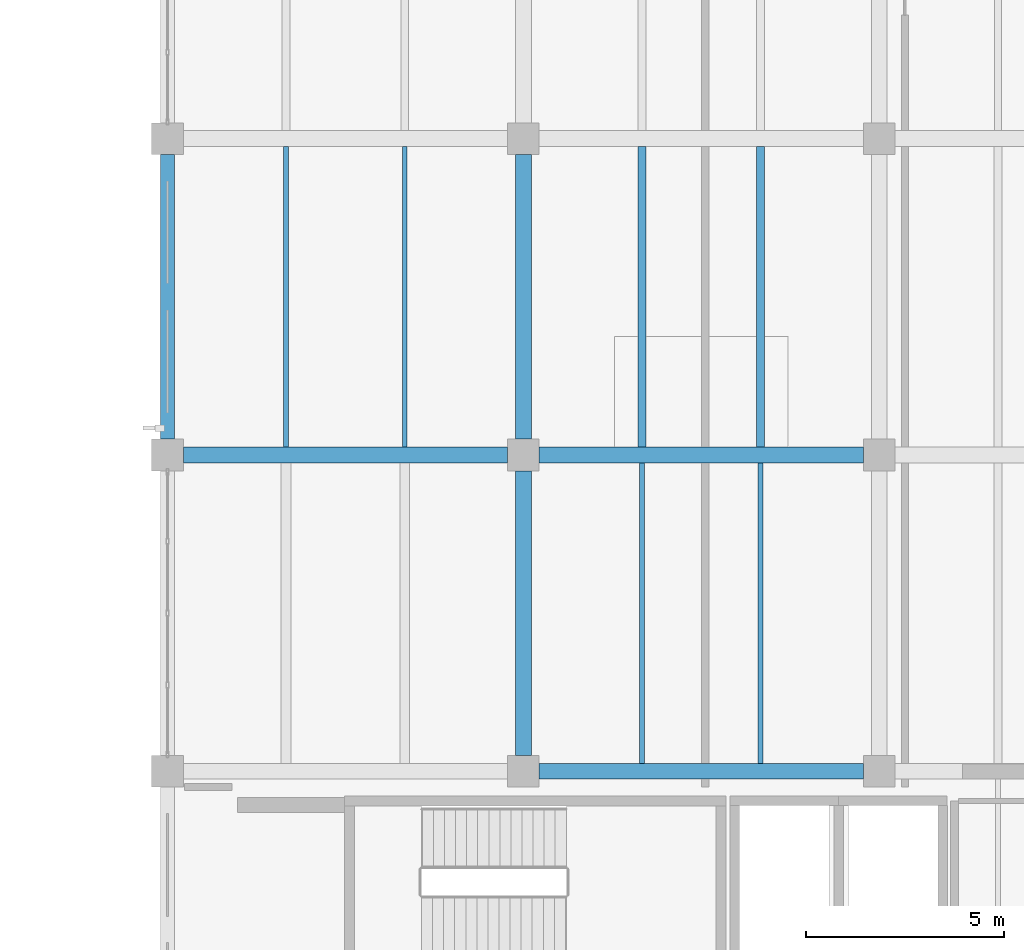
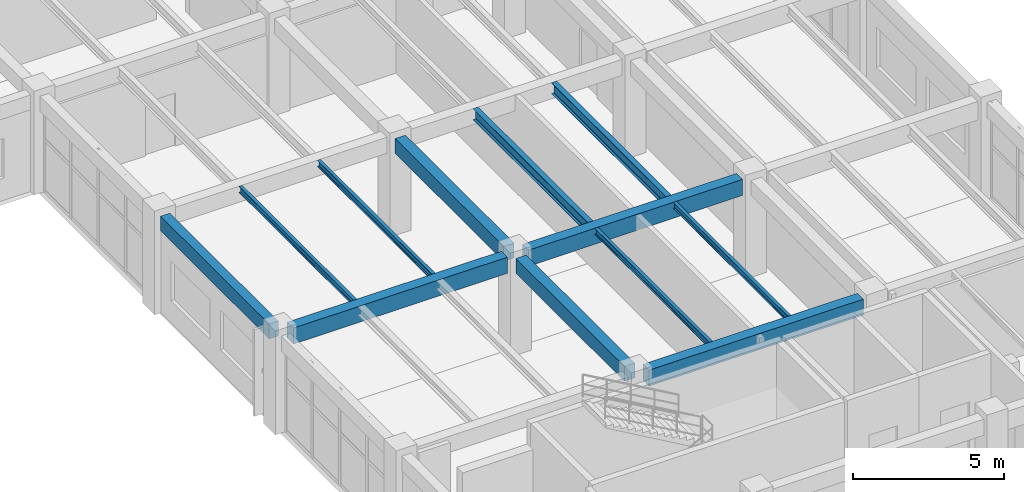
# One storey, part 101 of 148: 12 beams.
"""IFC4 building model written with IfcOpenShell, lengths in metres."""

import ifcopenshell
import ifcopenshell.guid

model = None  # the IFC model being written
_history = None  # IfcOwnerHistory: only IFC2X3 demands one
_inside = {}  # id of a spatial element -> (the spatial element, [elements in it])
_under = {}  # id of a project, library or spatial element -> (it, [spatial elements below it])
_declared = {}  # id of a project -> (the project, [libraries it declares])
_typed = {}  # id of a type object -> (the type object, [elements of that type])
_made_of = {}  # id of a material, layer set ... -> (it, [elements and type objects made of it])


def new_model(schema):
    """Start an empty IFC model of exactly this schema.

    Asked for "IFC4X3", IfcOpenShell would pick the latest addendum, in which some entities
    have other attributes; the version numbers below select the first issue.
    IFC2X3 requires an IfcOwnerHistory on every rooted entity: one is made here for all.
    """
    global model, _history
    if schema == "IFC4X3":
        model = ifcopenshell.file(schema_version=(4, 3, 0, 0))
    else:
        model = ifcopenshell.file(schema=schema)
    _inside.clear()
    _under.clear()
    _declared.clear()
    _typed.clear()
    _made_of.clear()
    _history = None
    if model.schema == "IFC2X3":
        org = make("IfcOrganization", Name="unknown")
        user = make(
            "IfcPersonAndOrganization",
            ThePerson=make("IfcPerson", FamilyName="unknown"),
            TheOrganization=org,
        )
        app = make(
            "IfcApplication",
            ApplicationDeveloper=org,
            Version="unknown",
            ApplicationFullName="unknown",
            ApplicationIdentifier="unknown",
        )
        _history = make(
            "IfcOwnerHistory",
            OwningUser=user,
            OwningApplication=app,
            ChangeAction="ADDED",
            CreationDate=0,
        )
    return model


def make(cls, **values):
    """One entity of the class cls with the attributes given. An attribute that is None is left unset."""
    return model.create_entity(
        cls, **{name: value for name, value in values.items() if value is not None}
    )


def rooted(cls, **values):
    """An entity with a GlobalId (a new one), such as an element, a storey or a relation."""
    return make(cls, GlobalId=ifcopenshell.guid.new(), OwnerHistory=_history, **values)


def si_unit(unit_type, name, prefix=None):
    """IfcSIUnit, for example si_unit("LENGTHUNIT", "METRE", prefix="MILLI")."""
    return make("IfcSIUnit", UnitType=unit_type, Prefix=prefix, Name=name)


def derived_unit(unit_type, elements):
    """IfcDerivedUnit: a product of units, each with its exponent."""
    return make(
        "IfcDerivedUnit",
        Elements=[
            make("IfcDerivedUnitElement", Unit=unit, Exponent=power)
            for unit, power in elements
        ],
        UnitType=unit_type,
    )


def assignment(units):
    """IfcUnitAssignment: the units of a project."""
    return None if units is None else make("IfcUnitAssignment", Units=units)


def point(xyz):
    """IfcCartesianPoint."""
    return None if xyz is None else make("IfcCartesianPoint", Coordinates=xyz)


def direction(xyz):
    """IfcDirection."""
    return None if xyz is None else make("IfcDirection", DirectionRatios=xyz)


def frame(location, z_axis=None, x_axis=None):
    """IfcAxis2Placement3D, a coordinate frame: its origin and axes. An axis left out is left unset."""
    return make(
        "IfcAxis2Placement3D",
        Location=point(location),
        Axis=direction(z_axis),
        RefDirection=direction(x_axis),
    )


def frame_2d(location, x_axis=None):
    """IfcAxis2Placement2D, a coordinate frame in the plane: its origin and x axis."""
    return make(
        "IfcAxis2Placement2D", Location=point(location), RefDirection=direction(x_axis)
    )


def origin():
    """The frame at (0, 0, 0) with its axes left unset."""
    return frame((0.0, 0.0, 0.0))


def origin_2d():
    """The frame at (0, 0) in the plane with its x axis left unset."""
    return frame_2d((0.0, 0.0))


def place(relative_to, where):
    """IfcLocalPlacement: puts the frame where relative to a parent placement (None: the world)."""
    return make(
        "IfcLocalPlacement", PlacementRelTo=relative_to, RelativePlacement=where
    )


def context(
    kind, dimensions, precision=None, world=None, true_north=None, identifier=None
):
    """IfcGeometricRepresentationContext, for example the 3D "Model" context."""
    return make(
        "IfcGeometricRepresentationContext",
        ContextIdentifier=identifier,
        ContextType=kind,
        CoordinateSpaceDimension=dimensions,
        Precision=precision,
        WorldCoordinateSystem=world,
        TrueNorth=true_north,
    )


def subcontext(parent, identifier, kind, view, scale=None):
    """IfcGeometricRepresentationSubContext, for example "Body" below "Model"."""
    return make(
        "IfcGeometricRepresentationSubContext",
        ContextIdentifier=identifier,
        ContextType=kind,
        ParentContext=parent,
        TargetScale=scale,
        TargetView=view,
    )


def project(units=None, contexts=None):
    """IfcProject with its units and contexts."""
    return rooted(
        "IfcProject",
        Name="project",
        RepresentationContexts=contexts,
        UnitsInContext=assignment(units),
    )


def spatial(cls, under=None, at=None, **own):
    """A site, building, storey or space (cls), placed at a placement, below another one or the project."""
    s = rooted(cls, ObjectPlacement=at, **own)
    if under is not None:
        _under.setdefault(under.id(), (under, []))[1].append(s)
    return s


def profile(cls, at=None, kind="AREA", **sizes):
    """A parametric profile (cls). Its sizes go by their IFC names, for example OverallWidth=200.0."""
    return make(cls, ProfileType=kind, Position=at, **sizes)


def rectangle(**sizes):
    """IfcRectangleProfileDef."""
    return profile("IfcRectangleProfileDef", **sizes)


def i_section(**sizes):
    """IfcIShapeProfileDef."""
    return profile("IfcIShapeProfileDef", **sizes)


def extrude(swept, where, along, depth):
    """IfcExtrudedAreaSolid: the profile swept, set in the frame where, extruded along a direction by depth."""
    return make(
        "IfcExtrudedAreaSolid",
        SweptArea=swept,
        Position=where,
        ExtrudedDirection=direction(along),
        Depth=depth,
    )


def shape(context_of_items, identifier, shape_type, items):
    """IfcShapeRepresentation: the items that make up one representation, for example the "Body"."""
    return make(
        "IfcShapeRepresentation",
        ContextOfItems=context_of_items,
        RepresentationIdentifier=identifier,
        RepresentationType=shape_type,
        Items=items,
    )


def material(Name=None, Category=None):
    """IfcMaterial."""
    return make("IfcMaterial", Name=Name, Category=Category)


def material_profile(
    of_material, cross_section, Name=None, Category=None, Priority=None
):
    """IfcMaterialProfile: a cross section and its material."""
    return make(
        "IfcMaterialProfile",
        Name=Name,
        Material=of_material,
        Profile=cross_section,
        Priority=Priority,
        Category=Category,
    )


def profile_set(profiles, Name=None, composite=None):
    """IfcMaterialProfileSet."""
    return make(
        "IfcMaterialProfileSet",
        Name=Name,
        MaterialProfiles=profiles,
        CompositeProfile=composite,
    )


def made_of(thing, what):
    """Note that an element or type object is made of a material, layer set ...; save() writes the relation."""
    if what is not None:
        _made_of.setdefault(what.id(), (what, []))[1].append(thing)
    return thing


def type_object(cls, material=None, **own):
    """A type object (cls), such as IfcWallType, which elements share."""
    return made_of(rooted(cls, **own), material)


def element(
    cls,
    number,
    at=None,
    inside=None,
    cuts=None,
    type_object=None,
    material=None,
    context=None,
    identifier="Body",
    shape_type=None,
    held_by="IfcProductDefinitionShape",
    body=None,
    shapes=None,
    **own,
):
    """One element of the class cls, such as IfcWall. Its Tag is "e" and its number.

    at: its placement. inside: the storey or other place that contains it. cuts: it is an
    opening in that element (IfcRelVoidsElement). A single representation is given by context,
    identifier, shape_type and body (its items); several are given by shapes. held_by: the class
    of the entity that holds the representations. save() writes the other relations.
    """
    e = rooted(cls, Tag="e%d" % number, ObjectPlacement=at, **own)
    if body is not None:
        shapes = [shape(context, identifier, shape_type, body)]
    if shapes is not None:
        e.Representation = make(held_by, Representations=shapes)
    if inside is not None:
        _inside.setdefault(inside.id(), (inside, []))[1].append(e)
    if cuts is not None:
        rooted(
            "IfcRelVoidsElement", RelatingBuildingElement=cuts, RelatedOpeningElement=e
        )
    if type_object is not None:
        _typed.setdefault(type_object.id(), (type_object, []))[1].append(e)
    return made_of(e, material)


def aggregate(whole, parts):
    """IfcRelAggregates: a whole, such as a stair, and the parts it consists of."""
    return rooted("IfcRelAggregates", RelatingObject=whole, RelatedObjects=parts)


def save(model, path):
    """Write the relations noted so far, then the file.

    IfcRelAggregates (storeys below a building ...), IfcRelContainedInSpatialStructure (elements
    in a storey), IfcRelDefinesByType, IfcRelAssociatesMaterial and IfcRelDeclares: one each for
    every whole, place, type object, material and project.
    """
    for whole, parts in _under.values():
        aggregate(whole, parts)
    for where, things in _inside.values():
        rooted(
            "IfcRelContainedInSpatialStructure",
            RelatedElements=things,
            RelatingStructure=where,
        )
    for kind, things in _typed.values():
        rooted("IfcRelDefinesByType", RelatedObjects=things, RelatingType=kind)
    for what, things in _made_of.values():
        rooted("IfcRelAssociatesMaterial", RelatedObjects=things, RelatingMaterial=what)
    for by, libraries in _declared.values():
        rooted("IfcRelDeclares", RelatingContext=by, RelatedDefinitions=libraries)
    model.write(path)


model = new_model("IFC4")

# Units and contexts
model_context = context("Model", 3, precision=1e-05, world=origin(), true_north=direction((0.0, 1.0)))
body_context = subcontext(model_context, "Body", "Model", "MODEL_VIEW")
ifc_project = project(units=[si_unit("LENGTHUNIT", "METRE"), si_unit("AREAUNIT", "SQUARE_METRE"), si_unit("VOLUMEUNIT", "CUBIC_METRE"), si_unit("PLANEANGLEUNIT", "RADIAN"), si_unit("MASSUNIT", "GRAM", prefix="KILO"), derived_unit("THERMALTRANSMITTANCEUNIT", [(si_unit("MASSUNIT", "GRAM", prefix="KILO"), 1), (si_unit("TIMEUNIT", "SECOND"), -3), (si_unit("THERMODYNAMICTEMPERATUREUNIT", "KELVIN"), -1)])], contexts=[model_context])

# Site, building, storey
site_placement = place(None, origin())
site = spatial("IfcSite", under=ifc_project, at=site_placement, CompositionType="ELEMENT")
building_placement = place(site_placement, origin())
building = spatial("IfcBuilding", under=site, at=building_placement, Name="Zhenchuan Archway Interchange", CompositionType="ELEMENT")
storey_placement = place(building_placement, frame((0.0, 0.0, 10.199951171875)))
storey = spatial("IfcBuildingStorey", under=building, at=storey_placement, Name="L02", CompositionType="ELEMENT", Elevation=10.199951171875)

# Beams
ifc_material_1 = material(Name="Concrete C40", Category="concrete")
ifc_material_profile_1 = material_profile(ifc_material_1, rectangle(XDim=0.39990234375, YDim=0.60009765625, at=origin_2d()), Name="RC 400x600")
ifc_profile_set_1 = profile_set([ifc_material_profile_1], Name="Concrete C40")
beam_type_1 = type_object("IfcBeamType", Name="BM_RC_400x600", PredefinedType="BEAM", material=ifc_profile_set_1)
for number, where, z_axis, x_axis, name in (
    (1, (153.0, 64.39990234375, 3.6201171875), (0.0, 1.0, 0.0), (-1.0, 0.0, 0.0), "Beam 18:J-K (L02)"),
    (2, (153.0, 72.39990234375, 3.6201171875), (0.0, 1.0, 0.0), (-1.0, 0.0, 0.0), "Beam 18:K-L (L02)"),
):
    element("IfcBeam", number, at=place(storey_placement, frame(where, z_axis=z_axis, x_axis=x_axis)), inside=storey, type_object=beam_type_1, Name=name, PredefinedType="BEAM", context=body_context, shape_type="SweptSolid", body=[
        extrude(rectangle(XDim=0.39990234375, YDim=0.60009765625, at=origin_2d()), origin(), (0.0, 0.0, 1.0), 7.2001953125),
    ])
ifc_material_profile_2 = material_profile(ifc_material_1, rectangle(XDim=0.39990234375, YDim=0.64990234375, at=origin_2d()), Name="RC 400x650")
ifc_profile_set_2 = profile_set([ifc_material_profile_2], Name="Concrete C40")
beam_type_2 = type_object("IfcBeamType", Name="BM_RC_400x650", PredefinedType="BEAM", material=ifc_profile_set_2)
for number, where, z_axis, x_axis, name in (
    (3, (153.39990234375, 64.0, 3.594970703125), (1.0, 0.0, 0.0), (0.0, 1.0, 0.0), "Beam J:18-19 (L02)"),
    (4, (144.39990234375, 72.0, 3.594970703125), (1.0, 0.0, 0.0), (0.0, 1.0, 0.0), "Beam K:17-18 (L02)"),
    (5, (153.39990234375, 72.0, 3.594970703125), (1.0, 0.0, 0.0), (0.0, 1.0, 0.0), "Beam K:18-19 (L02)"),
):
    element("IfcBeam", number, at=place(storey_placement, frame(where, z_axis=z_axis, x_axis=x_axis)), inside=storey, type_object=beam_type_2, Name=name, PredefinedType="BEAM", context=body_context, shape_type="SweptSolid", body=[
        extrude(rectangle(XDim=0.39990234375, YDim=0.64990234375, at=origin_2d()), origin(), (0.0, 0.0, 1.0), 8.2001953125),
    ])
ifc_material_2 = material(Name="Steel Q355", Category="steel")
ifc_material_profile_3 = material_profile(ifc_material_2, i_section(OverallWidth=0.125, OverallDepth=0.25, WebThickness=0.006103515625, FlangeThickness=0.009033203125, FilletRadius=0.011962890625, at=origin_2d()), Name="HN 250x125")
ifc_profile_set_3 = profile_set([ifc_material_profile_3], Name="Steel Q355")
beam_type_3 = type_object("IfcBeamType", Name="JST_STL_HN250", PredefinedType="JOIST", material=ifc_profile_set_3)
for number, where, z_axis, x_axis, name in (
    (6, (147.0, 72.199951171875, 3.795166015625), (0.0, 1.0, 0.0), (-1.0, 0.0, 0.0), "Secondary joist 17-18/K-L #1 (L02)"),
    (7, (150.0, 72.199951171875, 3.795166015625), (0.0, 1.0, 0.0), (-1.0, 0.0, 0.0), "Secondary joist 17-18/K-L #2 (L02)"),
    (8, (156.0, 64.199951171875, 3.795166015625), (0.0, 1.0, 0.0), (-1.0, 0.0, 0.0), "Secondary joist 18-19/J-K #1 (L02)"),
    (9, (159.0, 64.199951171875, 3.795166015625), (0.0, 1.0, 0.0), (-1.0, 0.0, 0.0), "Secondary joist 18-19/J-K #2 (L02)"),
):
    element("IfcBeam", number, at=place(storey_placement, frame(where, z_axis=z_axis, x_axis=x_axis)), inside=storey, type_object=beam_type_3, Name=name, PredefinedType="JOIST", context=body_context, shape_type="SweptSolid", body=[
        extrude(i_section(OverallWidth=0.125, OverallDepth=0.25, WebThickness=0.006103515625, FlangeThickness=0.009033203125, FilletRadius=0.011962890625, at=origin_2d()), origin(), (0.0, 0.0, 1.0), 7.60009765625),
    ])
ifc_material_profile_4 = material_profile(ifc_material_2, i_section(OverallWidth=0.199951171875, OverallDepth=0.449951171875, WebThickness=0.009033203125, FlangeThickness=0.013916015625, FilletRadius=0.01806640625, at=origin_2d()), Name="HN 450x200")
ifc_profile_set_4 = profile_set([ifc_material_profile_4], Name="Steel Q355")
beam_type_4 = type_object("IfcBeamType", Name="JST_STL_HN450", PredefinedType="JOIST", material=ifc_profile_set_4)
for number, where, z_axis, x_axis, name in (
    (10, (156.0, 72.199951171875, 3.695068359375), (0.0, 1.0, 0.0), (-1.0, 0.0, 0.0), "Secondary joist 18-19/K-L #1 (L02)"),
    (11, (159.0, 72.199951171875, 3.695068359375), (0.0, 1.0, 0.0), (-1.0, 0.0, 0.0), "Secondary joist 18-19/K-L #2 (L02)"),
):
    element("IfcBeam", number, at=place(storey_placement, frame(where, z_axis=z_axis, x_axis=x_axis)), inside=storey, type_object=beam_type_4, Name=name, PredefinedType="JOIST", context=body_context, shape_type="SweptSolid", body=[
        extrude(i_section(OverallWidth=0.199951171875, OverallDepth=0.449951171875, WebThickness=0.009033203125, FlangeThickness=0.013916015625, FilletRadius=0.01806640625, at=origin_2d()), origin(), (0.0, 0.0, 1.0), 7.60009765625),
    ])
ifc_material_profile_5 = material_profile(ifc_material_1, rectangle(XDim=0.35009765625, YDim=0.60009765625, at=origin_2d()), Name="RC 350x600")
ifc_profile_set_5 = profile_set([ifc_material_profile_5], Name="Concrete C40")
beam_type_5 = type_object("IfcBeamType", Name="SP_RC_350x600", PredefinedType="SPANDREL", material=ifc_profile_set_5)
beam_placement = place(storey_placement, frame((144.0, 72.39990234375, 3.6201171875), z_axis=(0.0, 1.0, 0.0), x_axis=(-1.0, 0.0, 0.0)))
element("IfcBeam", 12, at=beam_placement, inside=storey, type_object=beam_type_5, Name="Beam 17:K-L (L02)", PredefinedType="SPANDREL", context=body_context, shape_type="SweptSolid", body=[
    extrude(rectangle(XDim=0.35009765625, YDim=0.60009765625, at=origin_2d()), origin(), (0.0, 0.0, 1.0), 7.2001953125),
])

save(model, "model.ifc")
